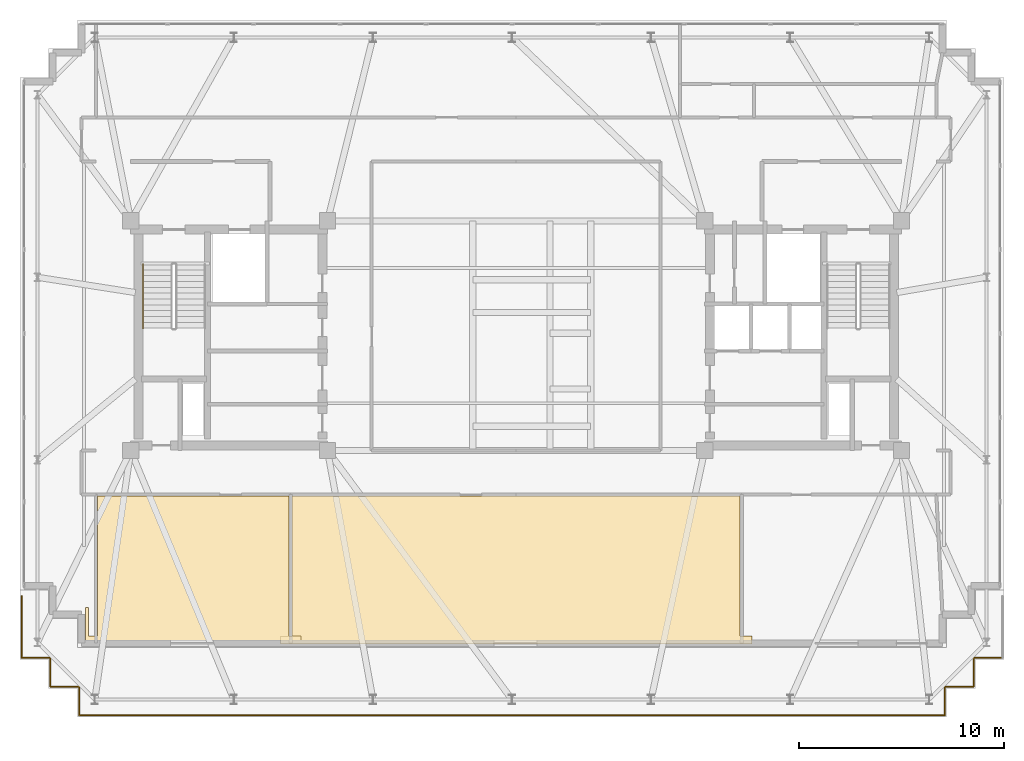
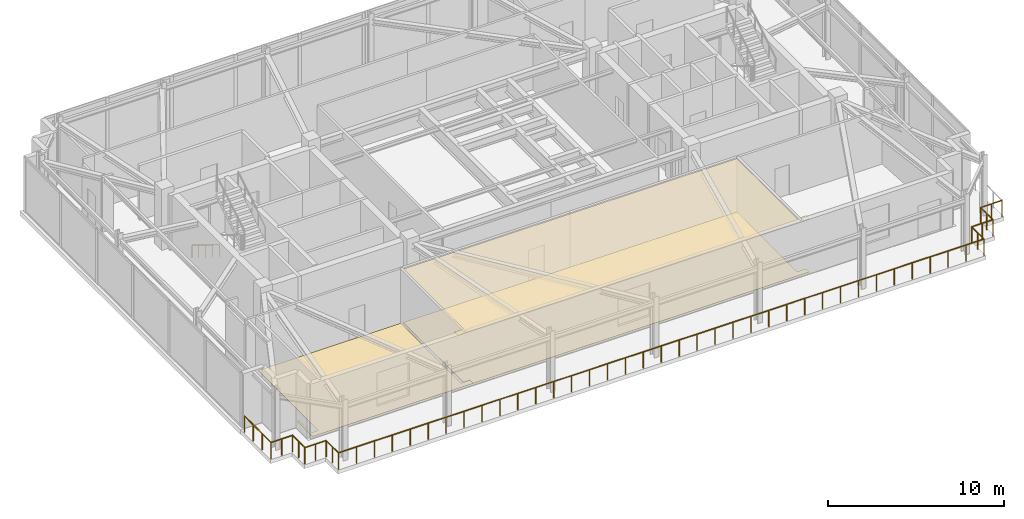
# One storey, part 22 of 24: 3 coverings, 2 railings.
"""IFC4 building model written with IfcOpenShell, lengths in metres."""

from ifc_helpers import new_model, si_unit, direction, frame, origin, origin_2d, place, context, subcontext, project, spatial, polyline, circle, outline, extrude, material, layer, layer_set, type_object, element, save


model = new_model("IFC4")

# Units and contexts
model_context = context("Model", 3, precision=1e-05, world=origin(), true_north=direction((0.0, 1.0)))
body_context = subcontext(model_context, "Body", "Model", "MODEL_VIEW")
ifc_project = project(units=[si_unit("LENGTHUNIT", "METRE"), si_unit("AREAUNIT", "SQUARE_METRE"), si_unit("VOLUMEUNIT", "CUBIC_METRE"), si_unit("PLANEANGLEUNIT", "RADIAN"), si_unit("MASSUNIT", "GRAM", prefix="KILO")], contexts=[model_context])

# Site, building, storey
site_placement = place(None, origin())
site = spatial("IfcSite", under=ifc_project, at=site_placement, CompositionType="ELEMENT")
building_placement = place(site_placement, origin())
building = spatial("IfcBuilding", under=site, at=building_placement, Name="Qobustan Lattice House", CompositionType="ELEMENT")
storey_placement = place(building_placement, frame((0.0, 0.0, 261.800048828125)))
storey = spatial("IfcBuildingStorey", under=building, at=storey_placement, Name="L74", CompositionType="ELEMENT", Elevation=261.800048828125)

# Coverings
ifc_material_1 = material(Name="Perforated gypsum acoustic ceiling", Category="gypsum")
ifc_layer_1 = layer(ifc_material_1, 0.030029296875)
ifc_layer_set_1 = layer_set([ifc_layer_1], Name="Perforated gypsum acoustic ceiling")
covering_type_1 = type_object("IfcCoveringType", Name="COV-ACOUSTIC-CEIL", PredefinedType="CEILING", material=ifc_layer_set_1)
covering_1_placement = place(storey_placement, frame((0.0, 0.0, 3.68994140625)))
element("IfcCovering", 1, at=covering_1_placement, inside=storey, type_object=covering_type_1, Name="L74 Caspian panoramic observation gallery acoustic ceiling", PredefinedType="CEILING", context=body_context, shape_type="SweptSolid", body=[
    extrude(outline(polyline([(11.5, -14.659912109375), (10.919921875, -14.659912109375), (10.919921875, -7.830078125), (-10.919921875, -7.830078125), (-10.919921875, -14.659912109375), (-11.5, -14.659912109375), (-11.5, -15.030029296875), (11.5, -15.030029296875), (11.5, -14.659912109375)])), origin(), (0.0, 0.0, 1.0), 0.030029296875),
])
ifc_material_2 = material(Name="Honed Absheron stone terrazzo flooring", Category="masonry")
ifc_layer_2 = layer(ifc_material_2, 0.02490234375)
ifc_layer_set_2 = layer_set([ifc_layer_2], Name="Honed Absheron stone terrazzo flooring")
covering_type_2 = type_object("IfcCoveringType", Name="COV-TERRAZZO-FLR", PredefinedType="FLOORING", material=ifc_layer_set_2)
covering_2_placement = place(storey_placement, origin())
element("IfcCovering", 2, at=covering_2_placement, inside=storey, type_object=covering_type_2, Name="L74 Caspian panoramic observation gallery stone terrazzo flooring", PredefinedType="FLOORING", context=body_context, shape_type="SweptSolid", body=[
    extrude(outline(polyline([(11.5, -14.659912109375), (10.919921875, -14.659912109375), (10.919921875, -7.830078125), (-10.919921875, -7.830078125), (-10.919921875, -14.659912109375), (-11.5, -14.659912109375), (-11.5, -15.030029296875), (11.5, -15.030029296875), (11.5, -14.659912109375)])), origin(), (0.0, 0.0, 1.0), 0.02490234375),
])
covering_3_placement = place(storey_placement, origin())
element("IfcCovering", 3, at=covering_3_placement, inside=storey, type_object=covering_type_2, Name="L74 South-west skyline study lounge stone terrazzo flooring", PredefinedType="FLOORING", context=body_context, shape_type="SweptSolid", body=[
    extrude(outline(polyline([(-10.5, -14.659912109375), (-11.080078125, -14.659912109375), (-11.080078125, -7.830078125), (-20.419921875, -7.830078125), (-20.419921875, -14.659912109375), (-20.860107421875, -14.659912109375), (-20.860107421875, -13.260009765625), (-21.0, -13.260009765625), (-21.0, -15.030029296875), (-10.5, -15.030029296875), (-10.5, -14.659912109375)])), origin(), (0.0, 0.0, 1.0), 0.02490234375),
])

# Railings
ifc_material_3 = material(Name="Brushed stainless steel handrail", Category="steel")
railing_type_1 = type_object("IfcRailingType", Name="RAL-HR-920", PredefinedType="HANDRAIL", material=ifc_material_3)
railing_1_placement = place(storey_placement, frame((-18.199951171875, 3.5, 0.175048828125)))
element("IfcRailing", 4, at=railing_1_placement, inside=storey, type_object=railing_type_1, Name="L74 ST-W1 stair handrail 1", PredefinedType="HANDRAIL", context=body_context, shape_type="SweptSolid", body=[
    extrude(circle(Radius=0.02392578125, at=origin_2d()), frame((0.0, 0.0, 0.8759765625), z_axis=(0.0, -0.852195625947, 0.523223293744), x_axis=(1.0, 0.0, 0.0)), (0.0, 0.0, 1.0), 3.6787109375),
    extrude(circle(Radius=0.02099609375, at=origin_2d()), origin(), (0.0, 0.0, 1.0), 0.851806640625),
    extrude(circle(Radius=0.02099609375, at=origin_2d()), frame((0.0, -0.78369140625, 0.481201171875)), (0.0, 0.0, 1.0), 0.851806640625),
    extrude(circle(Radius=0.02099609375, at=origin_2d()), frame((0.0, -1.5673828125, 0.96240234375)), (0.0, 0.0, 1.0), 0.851806640625),
    extrude(circle(Radius=0.02099609375, at=origin_2d()), frame((0.0, -2.351318359375, 1.443603515625)), (0.0, 0.0, 1.0), 0.851806640625),
    extrude(circle(Radius=0.02099609375, at=origin_2d()), frame((0.0, -3.135009765625, 1.9248046875)), (0.0, 0.0, 1.0), 0.851806640625),
])
ifc_material_4 = material(Name="Anodised bronze and laminated glass balustrade", Category="glass")
railing_type_2 = type_object("IfcRailingType", Name="RAL-TERR-1150", PredefinedType="BALUSTRADE", material=ifc_material_4)
railing_2_placement = place(storey_placement, frame((23.719970703125, -15.719970703125, 0.0)))
element("IfcRailing", 5, at=railing_2_placement, inside=storey, type_object=railing_type_2, Name="L74 outdoor terrace balustrade 1", PredefinedType="BALUSTRADE", context=body_context, shape_type="SweptSolid", body=[
    extrude(circle(Radius=0.02392578125, at=origin_2d()), frame((0.0, 0.0, 1.1259765625), z_axis=(-1.0, 0.0, 0.0), x_axis=(0.0, -1.0, 0.0)), (0.0, 0.0, 1.0), 1.39990234375),
    extrude(circle(Radius=0.02392578125, at=origin_2d()), frame((-1.39990234375, 0.0, 1.1259765625), z_axis=(0.0, -1.0, 0.0), x_axis=(1.0, 0.0, 0.0)), (0.0, 0.0, 1.0), 1.400146484375),
    extrude(circle(Radius=0.02392578125, at=origin_2d()), frame((-1.39990234375, -1.400146484375, 1.1259765625), z_axis=(-1.0, 0.0, 0.0), x_axis=(0.0, -1.0, 0.0)), (0.0, 0.0, 1.0), 1.400146484375),
    extrude(circle(Radius=0.02392578125, at=origin_2d()), frame((-2.800048828125, -1.400146484375, 1.1259765625), z_axis=(0.0, -1.0, 0.0), x_axis=(1.0, 0.0, 0.0)), (0.0, 0.0, 1.0), 1.39990234375),
    extrude(circle(Radius=0.02392578125, at=origin_2d()), frame((-2.800048828125, -2.800048828125, 1.1259765625), z_axis=(-1.0, 0.0, 0.0), x_axis=(0.0, -1.0, 0.0)), (0.0, 0.0, 1.0), 42.239990234375),
    extrude(circle(Radius=0.02392578125, at=origin_2d()), frame((-45.0400390625, -2.800048828125, 1.1259765625), z_axis=(0.0, 1.0, 0.0), x_axis=(-1.0, 0.0, 0.0)), (0.0, 0.0, 1.0), 1.39990234375),
    extrude(circle(Radius=0.02392578125, at=origin_2d()), frame((-45.0400390625, -1.400146484375, 1.1259765625), z_axis=(-1.0, 0.0, 0.0), x_axis=(0.0, -1.0, 0.0)), (0.0, 0.0, 1.0), 1.39990234375),
    extrude(circle(Radius=0.02392578125, at=origin_2d()), frame((-46.43994140625, -1.400146484375, 1.1259765625), z_axis=(0.0, 1.0, 0.0), x_axis=(-1.0, 0.0, 0.0)), (0.0, 0.0, 1.0), 1.400146484375),
    extrude(circle(Radius=0.02392578125, at=origin_2d()), frame((-46.43994140625, 0.0, 1.1259765625), z_axis=(-1.0, 0.0, 0.0), x_axis=(0.0, -1.0, 0.0)), (0.0, 0.0, 1.0), 1.400146484375),
    extrude(circle(Radius=0.02392578125, at=origin_2d()), frame((-47.840087890625, 0.0, 1.1259765625), z_axis=(0.0, 1.0, 0.0), x_axis=(-1.0, 0.0, 0.0)), (0.0, 0.0, 1.0), 3.02001953125),
    extrude(circle(Radius=0.02099609375, at=origin_2d()), origin(), (0.0, 0.0, 1.0), 1.101806640625),
    extrude(circle(Radius=0.02099609375, at=origin_2d()), frame((-0.699951171875, 0.0, 0.0)), (0.0, 0.0, 1.0), 1.101806640625),
    extrude(circle(Radius=0.02099609375, at=origin_2d()), frame((-1.39990234375, 0.0, 0.0)), (0.0, 0.0, 1.0), 1.101806640625),
    extrude(circle(Radius=0.02099609375, at=origin_2d()), frame((-1.39990234375, -0.7001953125, 0.0)), (0.0, 0.0, 1.0), 1.101806640625),
    extrude(circle(Radius=0.02099609375, at=origin_2d()), frame((-1.39990234375, -1.400146484375, 0.0)), (0.0, 0.0, 1.0), 1.101806640625),
    extrude(circle(Radius=0.02099609375, at=origin_2d()), frame((-2.10009765625, -1.400146484375, 0.0)), (0.0, 0.0, 1.0), 1.101806640625),
    extrude(circle(Radius=0.02099609375, at=origin_2d()), frame((-2.800048828125, -1.400146484375, 0.0)), (0.0, 0.0, 1.0), 1.101806640625),
    extrude(circle(Radius=0.02099609375, at=origin_2d()), frame((-2.800048828125, -2.10009765625, 0.0)), (0.0, 0.0, 1.0), 1.101806640625),
    extrude(circle(Radius=0.02099609375, at=origin_2d()), frame((-2.800048828125, -2.800048828125, 0.0)), (0.0, 0.0, 1.0), 1.101806640625),
    extrude(circle(Radius=0.02099609375, at=origin_2d()), frame((-3.973388671875, -2.800048828125, 0.0)), (0.0, 0.0, 1.0), 1.101806640625),
    extrude(circle(Radius=0.02099609375, at=origin_2d()), frame((-5.146728515625, -2.800048828125, 0.0)), (0.0, 0.0, 1.0), 1.101806640625),
    extrude(circle(Radius=0.02099609375, at=origin_2d()), frame((-6.320068359375, -2.800048828125, 0.0)), (0.0, 0.0, 1.0), 1.101806640625),
    extrude(circle(Radius=0.02099609375, at=origin_2d()), frame((-7.493408203125, -2.800048828125, 0.0)), (0.0, 0.0, 1.0), 1.101806640625),
    extrude(circle(Radius=0.02099609375, at=origin_2d()), frame((-8.666748046875, -2.800048828125, 0.0)), (0.0, 0.0, 1.0), 1.101806640625),
    extrude(circle(Radius=0.02099609375, at=origin_2d()), frame((-9.840087890625, -2.800048828125, 0.0)), (0.0, 0.0, 1.0), 1.101806640625),
    extrude(circle(Radius=0.02099609375, at=origin_2d()), frame((-11.013427734375, -2.800048828125, 0.0)), (0.0, 0.0, 1.0), 1.101806640625),
    extrude(circle(Radius=0.02099609375, at=origin_2d()), frame((-12.186767578125, -2.800048828125, 0.0)), (0.0, 0.0, 1.0), 1.101806640625),
    extrude(circle(Radius=0.02099609375, at=origin_2d()), frame((-13.360107421875, -2.800048828125, 0.0)), (0.0, 0.0, 1.0), 1.101806640625),
    extrude(circle(Radius=0.02099609375, at=origin_2d()), frame((-14.533447265625, -2.800048828125, 0.0)), (0.0, 0.0, 1.0), 1.101806640625),
    extrude(circle(Radius=0.02099609375, at=origin_2d()), frame((-15.706787109375, -2.800048828125, 0.0)), (0.0, 0.0, 1.0), 1.101806640625),
    extrude(circle(Radius=0.02099609375, at=origin_2d()), frame((-16.880126953125, -2.800048828125, 0.0)), (0.0, 0.0, 1.0), 1.101806640625),
    extrude(circle(Radius=0.02099609375, at=origin_2d()), frame((-18.053466796875, -2.800048828125, 0.0)), (0.0, 0.0, 1.0), 1.101806640625),
    extrude(circle(Radius=0.02099609375, at=origin_2d()), frame((-19.226806640625, -2.800048828125, 0.0)), (0.0, 0.0, 1.0), 1.101806640625),
    extrude(circle(Radius=0.02099609375, at=origin_2d()), frame((-20.400146484375, -2.800048828125, 0.0)), (0.0, 0.0, 1.0), 1.101806640625),
    extrude(circle(Radius=0.02099609375, at=origin_2d()), frame((-21.573486328125, -2.800048828125, 0.0)), (0.0, 0.0, 1.0), 1.101806640625),
    extrude(circle(Radius=0.02099609375, at=origin_2d()), frame((-22.746826171875, -2.800048828125, 0.0)), (0.0, 0.0, 1.0), 1.101806640625),
    extrude(circle(Radius=0.02099609375, at=origin_2d()), frame((-23.919921875, -2.800048828125, 0.0)), (0.0, 0.0, 1.0), 1.101806640625),
    extrude(circle(Radius=0.02099609375, at=origin_2d()), frame((-25.09326171875, -2.800048828125, 0.0)), (0.0, 0.0, 1.0), 1.101806640625),
    extrude(circle(Radius=0.02099609375, at=origin_2d()), frame((-26.2666015625, -2.800048828125, 0.0)), (0.0, 0.0, 1.0), 1.101806640625),
    extrude(circle(Radius=0.02099609375, at=origin_2d()), frame((-27.43994140625, -2.800048828125, 0.0)), (0.0, 0.0, 1.0), 1.101806640625),
    extrude(circle(Radius=0.02099609375, at=origin_2d()), frame((-28.61328125, -2.800048828125, 0.0)), (0.0, 0.0, 1.0), 1.101806640625),
    extrude(circle(Radius=0.02099609375, at=origin_2d()), frame((-29.78662109375, -2.800048828125, 0.0)), (0.0, 0.0, 1.0), 1.101806640625),
    extrude(circle(Radius=0.02099609375, at=origin_2d()), frame((-30.9599609375, -2.800048828125, 0.0)), (0.0, 0.0, 1.0), 1.101806640625),
    extrude(circle(Radius=0.02099609375, at=origin_2d()), frame((-32.13330078125, -2.800048828125, 0.0)), (0.0, 0.0, 1.0), 1.101806640625),
    extrude(circle(Radius=0.02099609375, at=origin_2d()), frame((-33.306640625, -2.800048828125, 0.0)), (0.0, 0.0, 1.0), 1.101806640625),
    extrude(circle(Radius=0.02099609375, at=origin_2d()), frame((-34.47998046875, -2.800048828125, 0.0)), (0.0, 0.0, 1.0), 1.101806640625),
    extrude(circle(Radius=0.02099609375, at=origin_2d()), frame((-35.6533203125, -2.800048828125, 0.0)), (0.0, 0.0, 1.0), 1.101806640625),
    extrude(circle(Radius=0.02099609375, at=origin_2d()), frame((-36.82666015625, -2.800048828125, 0.0)), (0.0, 0.0, 1.0), 1.101806640625),
    extrude(circle(Radius=0.02099609375, at=origin_2d()), frame((-38.0, -2.800048828125, 0.0)), (0.0, 0.0, 1.0), 1.101806640625),
    extrude(circle(Radius=0.02099609375, at=origin_2d()), frame((-39.17333984375, -2.800048828125, 0.0)), (0.0, 0.0, 1.0), 1.101806640625),
    extrude(circle(Radius=0.02099609375, at=origin_2d()), frame((-40.3466796875, -2.800048828125, 0.0)), (0.0, 0.0, 1.0), 1.101806640625),
    extrude(circle(Radius=0.02099609375, at=origin_2d()), frame((-41.52001953125, -2.800048828125, 0.0)), (0.0, 0.0, 1.0), 1.101806640625),
    extrude(circle(Radius=0.02099609375, at=origin_2d()), frame((-42.693359375, -2.800048828125, 0.0)), (0.0, 0.0, 1.0), 1.101806640625),
    extrude(circle(Radius=0.02099609375, at=origin_2d()), frame((-43.86669921875, -2.800048828125, 0.0)), (0.0, 0.0, 1.0), 1.101806640625),
    extrude(circle(Radius=0.02099609375, at=origin_2d()), frame((-45.0400390625, -2.800048828125, 0.0)), (0.0, 0.0, 1.0), 1.101806640625),
    extrude(circle(Radius=0.02099609375, at=origin_2d()), frame((-45.0400390625, -2.10009765625, 0.0)), (0.0, 0.0, 1.0), 1.101806640625),
    extrude(circle(Radius=0.02099609375, at=origin_2d()), frame((-45.0400390625, -1.400146484375, 0.0)), (0.0, 0.0, 1.0), 1.101806640625),
    extrude(circle(Radius=0.02099609375, at=origin_2d()), frame((-45.739990234375, -1.400146484375, 0.0)), (0.0, 0.0, 1.0), 1.101806640625),
    extrude(circle(Radius=0.02099609375, at=origin_2d()), frame((-46.43994140625, -1.400146484375, 0.0)), (0.0, 0.0, 1.0), 1.101806640625),
    extrude(circle(Radius=0.02099609375, at=origin_2d()), frame((-46.43994140625, -0.7001953125, 0.0)), (0.0, 0.0, 1.0), 1.101806640625),
    extrude(circle(Radius=0.02099609375, at=origin_2d()), frame((-46.43994140625, 0.0, 0.0)), (0.0, 0.0, 1.0), 1.101806640625),
    extrude(circle(Radius=0.02099609375, at=origin_2d()), frame((-47.14013671875, 0.0, 0.0)), (0.0, 0.0, 1.0), 1.101806640625),
    extrude(circle(Radius=0.02099609375, at=origin_2d()), frame((-47.840087890625, 0.0, 0.0)), (0.0, 0.0, 1.0), 1.101806640625),
    extrude(circle(Radius=0.02099609375, at=origin_2d()), frame((-47.840087890625, 1.006591796875, 0.0)), (0.0, 0.0, 1.0), 1.101806640625),
    extrude(circle(Radius=0.02099609375, at=origin_2d()), frame((-47.840087890625, 2.013427734375, 0.0)), (0.0, 0.0, 1.0), 1.101806640625),
    extrude(circle(Radius=0.02099609375, at=origin_2d()), frame((-47.840087890625, 3.02001953125, 0.0)), (0.0, 0.0, 1.0), 1.101806640625),
])

save(model, "model.ifc")
